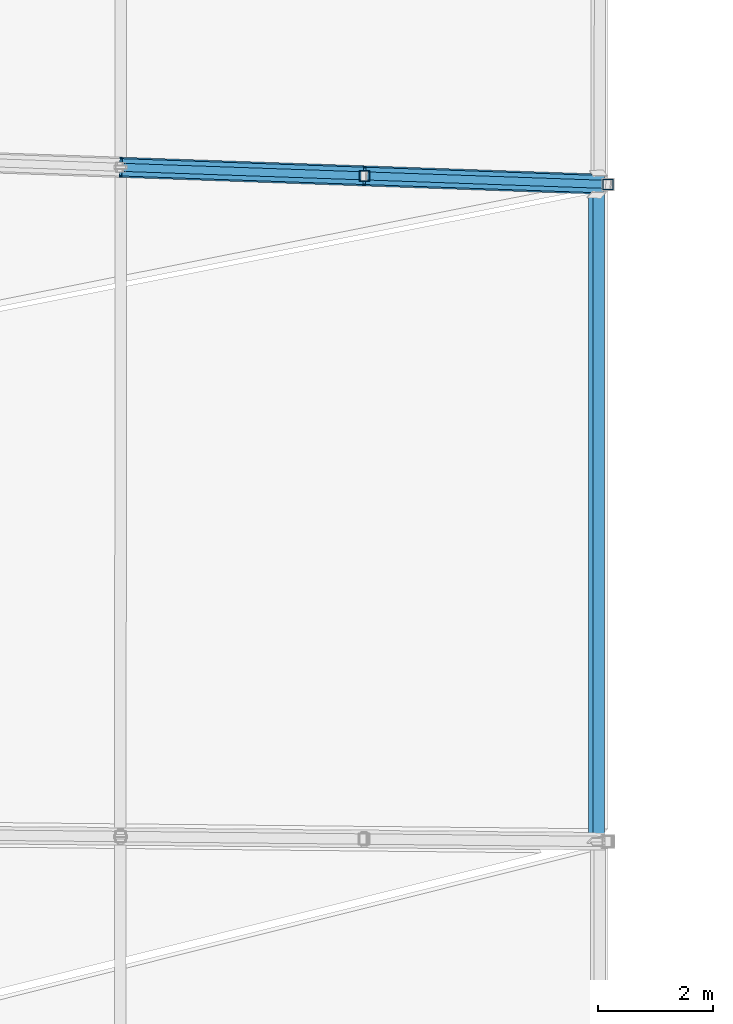
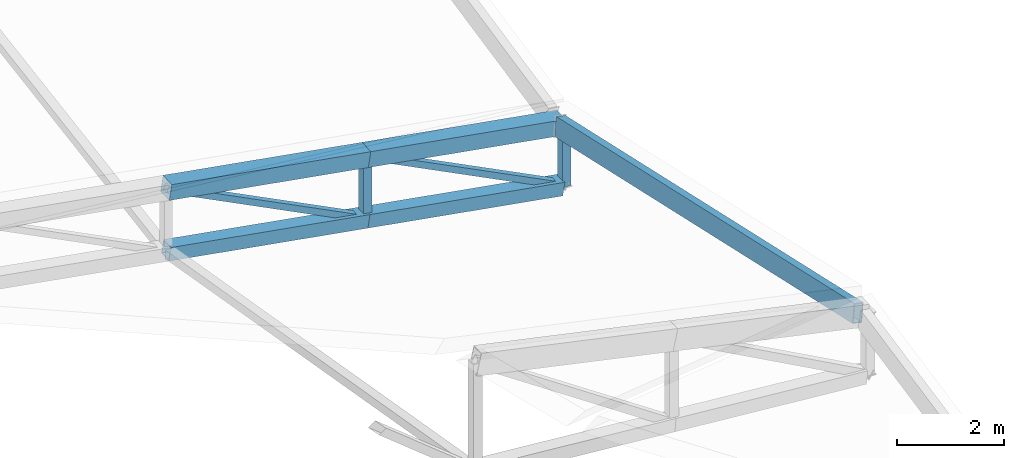
# One storey, part 66 of 344: 8 members, 1 beam.
"""IFC4 building model written with IfcOpenShell, lengths in metres."""

from ifc_helpers import new_model, si_unit, direction, frame, origin, origin_2d, place, context, subcontext, project, spatial, hollow_rectangle, extrude, material, material_profile, profile_set, type_object, element, save


model = new_model("IFC4")

# Units and contexts
model_context = context("Model", 3, precision=1e-05, world=origin(), true_north=direction((0.0, 1.0)))
body_context = subcontext(model_context, "Body", "Model", "MODEL_VIEW")
ifc_project = project(units=[si_unit("LENGTHUNIT", "METRE"), si_unit("AREAUNIT", "SQUARE_METRE"), si_unit("VOLUMEUNIT", "CUBIC_METRE"), si_unit("PLANEANGLEUNIT", "RADIAN"), si_unit("MASSUNIT", "GRAM", prefix="KILO")], contexts=[model_context])

# Site, building, storey
site_placement = place(None, origin())
site = spatial("IfcSite", under=ifc_project, at=site_placement, CompositionType="ELEMENT")
building_placement = place(site_placement, origin())
building = spatial("IfcBuilding", under=site, at=building_placement, Name="Meseta Stadium", CompositionType="ELEMENT")
storey_placement = place(building_placement, frame((0.0, 0.0, 24.0)))
storey = spatial("IfcBuildingStorey", under=building, at=storey_placement, Name="L04", CompositionType="ELEMENT", Elevation=24.0)

# Beam
ifc_material_1 = material(Name="Steel S355", Category="steel")
ifc_material_profile_1 = material_profile(ifc_material_1, hollow_rectangle(XDim=0.199951171875, YDim=0.39990234375, WallThickness=0.01611328125, at=origin_2d()), Name="RHS 400x200x16")
ifc_profile_set_1 = profile_set([ifc_material_profile_1], Name="Steel S355")
beam_type = type_object("IfcBeamType", Name="RHS 400x200x16 tip ring beam", PredefinedType="BEAM", material=ifc_profile_set_1)
beam_placement = place(storey_placement, frame((-47.19580078125, 16.88427734375, 2.61865234375), z_axis=(-0.000255980877, -0.975884428493, 0.218287692506), x_axis=(0.979299997849, -0.044429136113, -0.197478014162)))
element("IfcBeam", 1, at=beam_placement, inside=storey, type_object=beam_type, Name="TIP RING BEAM 32", PredefinedType="BEAM", context=body_context, shape_type="SweptSolid", body=[
    extrude(hollow_rectangle(XDim=0.199951171875, YDim=0.39990234375, WallThickness=0.01611328125, at=origin_2d()), origin(), (0.0, 0.0, 1.0), 11.445068359375),
])

# Members
ifc_material_2 = material(Name="Steel S355", Category="steel")
ifc_material_profile_2 = material_profile(ifc_material_2, hollow_rectangle(XDim=0.139892578125, YDim=0.139892578125, WallThickness=0.0048828125, at=origin_2d()), Name="SHS 140x140x5")
ifc_profile_set_2 = profile_set([ifc_material_profile_2], Name="Steel S355")
member_type_1 = type_object("IfcMemberType", Name="SHS 140x140x5 diagonal", PredefinedType="BRACE", material=ifc_profile_set_2)
member_1_placement = place(storey_placement, frame((-46.996826171875, 17.072265625, 1.10205078125), z_axis=(-0.898087440592, 0.031645851491, 0.438676975842), x_axis=(-0.035215082554, -0.999379756629, 0.0)))
element("IfcMember", 2, at=member_1_placement, inside=storey, type_object=member_type_1, Name="ROOF TRUSS RT-31 diagonal", PredefinedType="BRACE", context=body_context, shape_type="SweptSolid", body=[
    extrude(hollow_rectangle(XDim=0.139892578125, YDim=0.139892578125, WallThickness=0.0048828125, at=origin_2d()), origin(), (0.0, 0.0, 1.0), 4.6982421875),
])
member_2_placement = place(storey_placement, frame((-51.21630859375, 17.220947265625, 1.735107421875), z_axis=(-0.898097491679, 0.031644374707, 0.438656504556), x_axis=(-0.035213047643, -0.999379828331, 0.0)))
element("IfcMember", 3, at=member_2_placement, inside=storey, type_object=member_type_1, Name="ROOF TRUSS RT-31 diagonal", PredefinedType="BRACE", context=body_context, shape_type="SweptSolid", body=[
    extrude(hollow_rectangle(XDim=0.139892578125, YDim=0.139892578125, WallThickness=0.0048828125, at=origin_2d()), origin(), (0.0, 0.0, 1.0), 4.698486328125),
])
ifc_material_3 = material(Name="Steel S355", Category="steel")
ifc_material_profile_3 = material_profile(ifc_material_3, hollow_rectangle(XDim=0.179931640625, YDim=0.179931640625, WallThickness=0.00634765625, at=origin_2d()), Name="SHS 180x180x6.3")
ifc_profile_set_3 = profile_set([ifc_material_profile_3], Name="Steel S355")
member_type_2 = type_object("IfcMemberType", Name="SHS 180x180x6.3 post", PredefinedType="POST", material=ifc_profile_set_3)
member_3_placement = place(storey_placement, frame((-51.21630859375, 17.220947265625, 1.735107421875), z_axis=(0.0, 0.0, 1.0), x_axis=(1.0, 0.0, 0.0)))
element("IfcMember", 4, at=member_3_placement, inside=storey, type_object=member_type_2, Name="ROOF TRUSS RT-31 post", PredefinedType="POST", context=body_context, shape_type="SweptSolid", body=[
    extrude(hollow_rectangle(XDim=0.179931640625, YDim=0.179931640625, WallThickness=0.00634765625, at=origin_2d()), origin(), (0.0, 0.0, 1.0), 1.427978515625),
])
ifc_material_4 = material(Name="Steel S355", Category="steel")
ifc_material_profile_4 = material_profile(ifc_material_4, hollow_rectangle(XDim=0.179931640625, YDim=0.179931640625, WallThickness=0.00634765625, at=origin_2d()), Name="SHS 180x180x6.3")
ifc_profile_set_4 = profile_set([ifc_material_profile_4], Name="Steel S355")
member_type_3 = type_object("IfcMemberType", Name="SHS 180x180x6.3 rim post", PredefinedType="POST", material=ifc_profile_set_4)
member_4_placement = place(storey_placement, frame((-46.996826171875, 17.072265625, 1.10205078125), z_axis=(0.0, 0.0, 1.0), x_axis=(1.0, 0.0, 0.0)))
element("IfcMember", 5, at=member_4_placement, inside=storey, type_object=member_type_3, Name="ROOF TRUSS RT-31 post", PredefinedType="POST", context=body_context, shape_type="SweptSolid", body=[
    extrude(hollow_rectangle(XDim=0.179931640625, YDim=0.179931640625, WallThickness=0.00634765625, at=origin_2d()), origin(), (0.0, 0.0, 1.0), 1.427978515625),
])
ifc_material_5 = material(Name="Steel S355", Category="steel")
ifc_material_profile_5 = material_profile(ifc_material_5, hollow_rectangle(XDim=0.300048828125, YDim=0.300048828125, WallThickness=0.010009765625, at=origin_2d()), Name="SHS 300x300x10")
ifc_profile_set_5 = profile_set([ifc_material_profile_5], Name="Steel S355")
member_type_4 = type_object("IfcMemberType", Name="SHS 300x300x10 bottom chord", PredefinedType="CHORD", material=ifc_profile_set_5)
member_5_placement = place(storey_placement, frame((-47.085693359375, 17.075439453125, 1.115234375), z_axis=(-0.988326960944, 0.034815465969, 0.148316221635), x_axis=(-0.035204831857, -0.99938011778, 0.0)))
element("IfcMember", 6, at=member_5_placement, inside=storey, type_object=member_type_4, Name="ROOF TRUSS RT-31 bottom chord", PredefinedType="CHORD", context=body_context, shape_type="SweptSolid", body=[
    extrude(hollow_rectangle(XDim=0.300048828125, YDim=0.300048828125, WallThickness=0.010009765625, at=origin_2d()), origin(), (0.0, 0.0, 1.0), 4.179443359375),
])
member_6_placement = place(storey_placement, frame((-51.21630859375, 17.220947265625, 1.735107421875), z_axis=(-0.988333174505, 0.034823819907, 0.148272848964), x_axis=(-0.035213047643, -0.999379828331, 0.0)))
element("IfcMember", 7, at=member_6_placement, inside=storey, type_object=member_type_4, Name="ROOF TRUSS RT-31 bottom chord", PredefinedType="CHORD", context=body_context, shape_type="SweptSolid", body=[
    extrude(hollow_rectangle(XDim=0.300048828125, YDim=0.300048828125, WallThickness=0.010009765625, at=origin_2d()), origin(), (0.0, 0.0, 1.0), 4.26953125),
])
ifc_material_6 = material(Name="Steel S355", Category="steel")
ifc_material_profile_6 = material_profile(ifc_material_6, hollow_rectangle(XDim=0.35009765625, YDim=0.35009765625, WallThickness=0.010009765625, at=origin_2d()), Name="SHS 350x350x10")
ifc_profile_set_6 = profile_set([ifc_material_profile_6], Name="Steel S355")
member_type_5 = type_object("IfcMemberType", Name="SHS 350x350x10 top chord", PredefinedType="CHORD", material=ifc_profile_set_6)
member_7_placement = place(storey_placement, frame((-47.085693359375, 17.075439453125, 2.54345703125), z_axis=(-0.988335522158, 0.034815767552, 0.148259090681), x_axis=(-0.035204831857, -0.99938011778, 0.0)))
element("IfcMember", 8, at=member_7_placement, inside=storey, type_object=member_type_5, Name="ROOF TRUSS RT-31 top chord", PredefinedType="CHORD", context=body_context, shape_type="SweptSolid", body=[
    extrude(hollow_rectangle(XDim=0.35009765625, YDim=0.35009765625, WallThickness=0.010009765625, at=origin_2d()), origin(), (0.0, 0.0, 1.0), 4.179443359375),
])
member_8_placement = place(storey_placement, frame((-51.21630859375, 17.220947265625, 3.1630859375), z_axis=(-0.988333174505, 0.034823819907, 0.148272848964), x_axis=(-0.035213047643, -0.999379828331, 0.0)))
element("IfcMember", 9, at=member_8_placement, inside=storey, type_object=member_type_5, Name="ROOF TRUSS RT-31 top chord", PredefinedType="CHORD", context=body_context, shape_type="SweptSolid", body=[
    extrude(hollow_rectangle(XDim=0.35009765625, YDim=0.35009765625, WallThickness=0.010009765625, at=origin_2d()), origin(), (0.0, 0.0, 1.0), 4.26953125),
])

save(model, "model.ifc")
